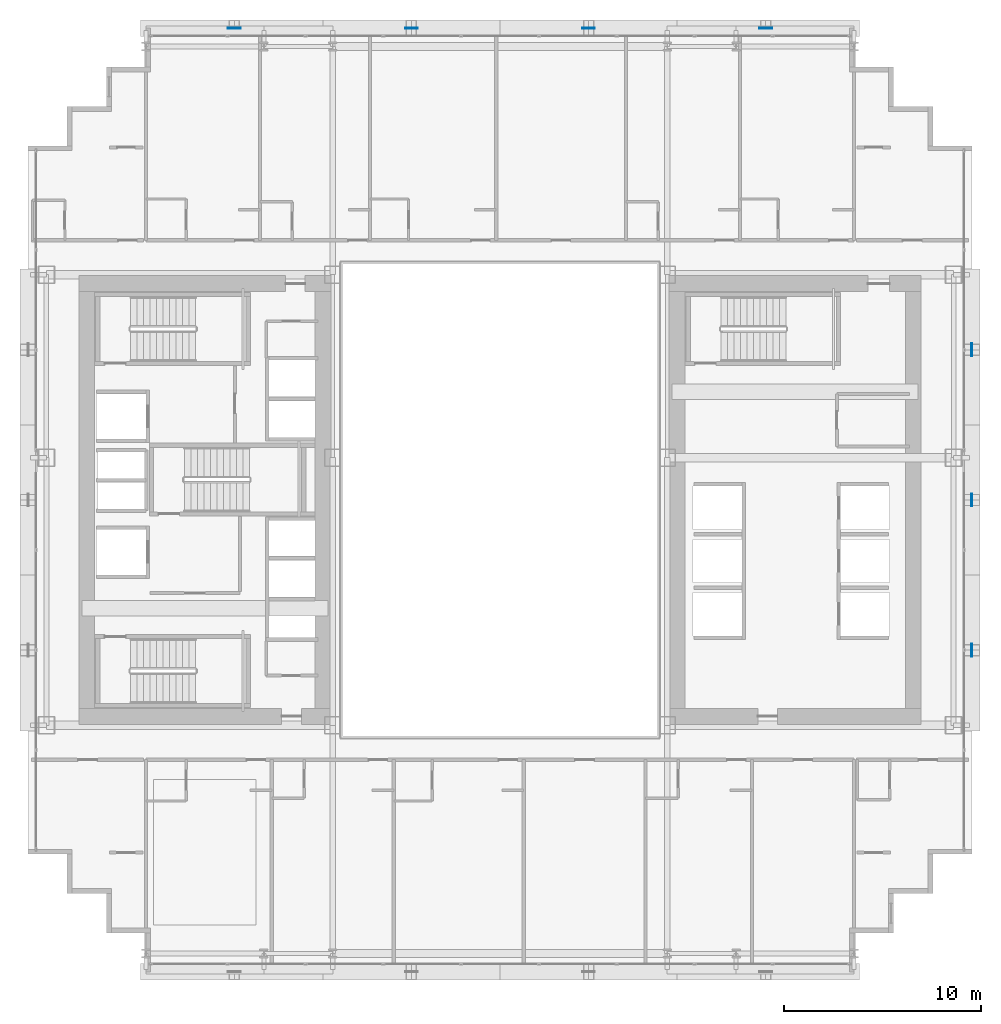
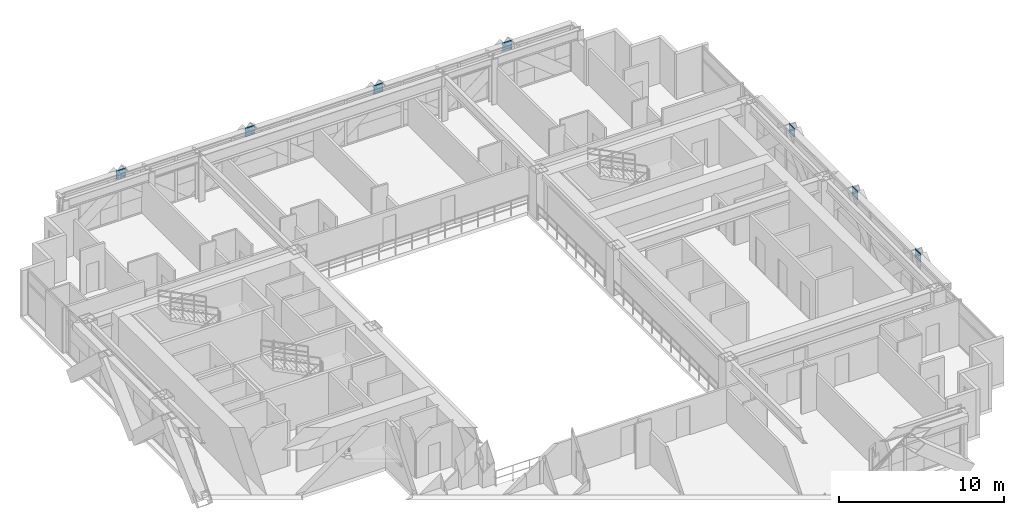
# One storey, part 26 of 35: 7 plates.
"""IFC4 building model written with IfcOpenShell, lengths in metres."""

from ifc_helpers import new_model, si_unit, direction, frame, origin, origin_2d, place, context, subcontext, project, spatial, rectangle, extrude, source, transform, mapped, material, layer, layer_set, type_object, element, save


model = new_model("IFC4")

# Units and contexts
model_context = context("Model", 3, precision=1e-05, world=origin(), true_north=direction((0.0, 1.0)))
body_context = subcontext(model_context, "Body", "Model", "MODEL_VIEW")
ifc_project = project(units=[si_unit("LENGTHUNIT", "METRE"), si_unit("AREAUNIT", "SQUARE_METRE"), si_unit("VOLUMEUNIT", "CUBIC_METRE"), si_unit("PLANEANGLEUNIT", "RADIAN"), si_unit("MASSUNIT", "GRAM", prefix="KILO")], contexts=[model_context])

# Site, building, storey
site_placement = place(None, origin())
site = spatial("IfcSite", under=ifc_project, at=site_placement, CompositionType="ELEMENT")
building_placement = place(site_placement, origin())
building = spatial("IfcBuilding", under=site, at=building_placement, Name="Ocotamira Hotel", CompositionType="ELEMENT")
storey_placement = place(building_placement, frame((0.0, 0.0, 49.199951171875)))
storey = spatial("IfcBuildingStorey", under=building, at=storey_placement, Name="L11", CompositionType="ELEMENT", Elevation=49.199951171875)

# Plates
ifc_material = material(Name="Pale-metal coated steel ASTM A572 Grade 50", Category="steel")
ifc_layer = layer(ifc_material, 0.0400390625)
ifc_layer_set = layer_set([ifc_layer], Name="Pale-metal coated steel ASTM A572 Grade 50")
plate_type = type_object("IfcPlateType", Name="PLT-GUSSET-40", PredefinedType="SHEET", material=ifc_layer_set)
shared_shape_1 = source(origin(), body_context, "Body", "SweptSolid", [
    extrude(rectangle(XDim=0.64990234375, YDim=0.0400390625, at=origin_2d()), origin(), (0.0, 0.0, 1.0), 0.64990234375),
])
for number, where, z_axis, x_axis, name in (
    (1, (18.5, 49.969970703125, 2.775146484375), (0.0, 0.0, 1.0), (1.0, 0.0, 0.0), "L11 Exoskeleton Diagrid N0.1 End Gusset B"),
    (2, (27.5, 49.969970703125, 2.775146484375), (0.0, 0.0, 1.0), (1.0, 0.0, 0.0), "L11 Exoskeleton Diagrid N1.1 End Gusset B"),
    (3, (36.5, 49.969970703125, 2.775146484375), (0.0, 0.0, 1.0), (1.0, 0.0, 0.0), "L11 Exoskeleton Diagrid N2.1 End Gusset B"),
    (4, (45.5, 49.969970703125, 2.775146484375), (0.0, 0.0, 1.0), (1.0, 0.0, 0.0), "L11 Exoskeleton Diagrid N3.1 End Gusset B"),
):
    element("IfcPlate", number, at=place(storey_placement, frame(where, z_axis=z_axis, x_axis=x_axis)), inside=storey, type_object=plate_type, Name=name, PredefinedType="SHEET", context=body_context, shape_type="MappedRepresentation", body=[
        mapped(shared_shape_1, transform((0.0, 0.0, 0.0), scale=1.0)),
    ])
shared_shape_2 = source(origin(), body_context, "Body", "SweptSolid", [
    extrude(rectangle(XDim=0.0400390625, YDim=0.64990234375, at=origin_2d()), origin(), (0.0, 0.0, 1.0), 0.64990234375),
])
for number, where, z_axis, x_axis, name in (
    (5, (55.969970703125, 18.36669921875, 2.775146484375), (0.0, 0.0, 1.0), (1.0, 0.0, 0.0), "L11 Exoskeleton Diagrid E0.1 End Gusset B"),
    (6, (55.969970703125, 26.0, 2.775146484375), (0.0, 0.0, 1.0), (1.0, 0.0, 0.0), "L11 Exoskeleton Diagrid E1.1 End Gusset B"),
    (7, (55.969970703125, 33.63330078125, 2.775146484375), (0.0, 0.0, 1.0), (1.0, 0.0, 0.0), "L11 Exoskeleton Diagrid E2.1 End Gusset B"),
):
    element("IfcPlate", number, at=place(storey_placement, frame(where, z_axis=z_axis, x_axis=x_axis)), inside=storey, type_object=plate_type, Name=name, PredefinedType="SHEET", context=body_context, shape_type="MappedRepresentation", body=[
        mapped(shared_shape_2, transform((0.0, 0.0, 0.0), scale=1.0)),
    ])

save(model, "model.ifc")
